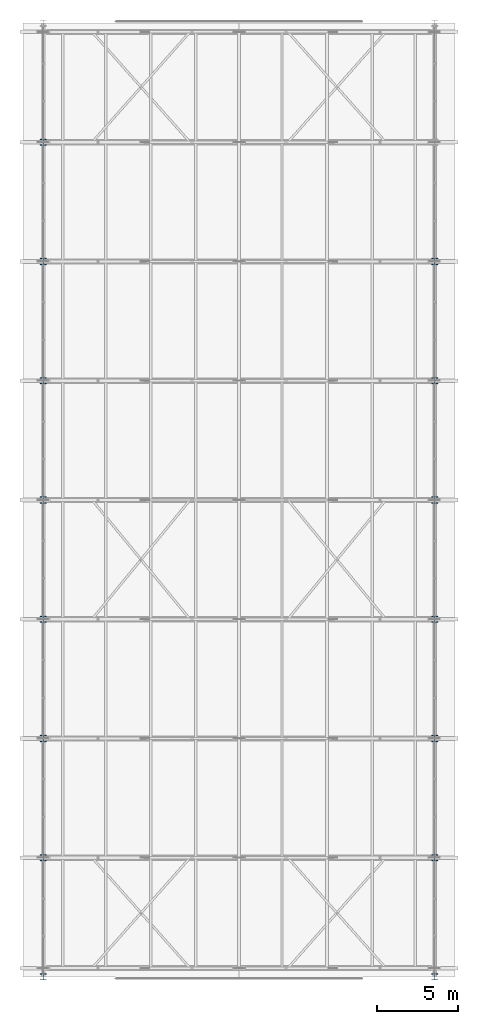
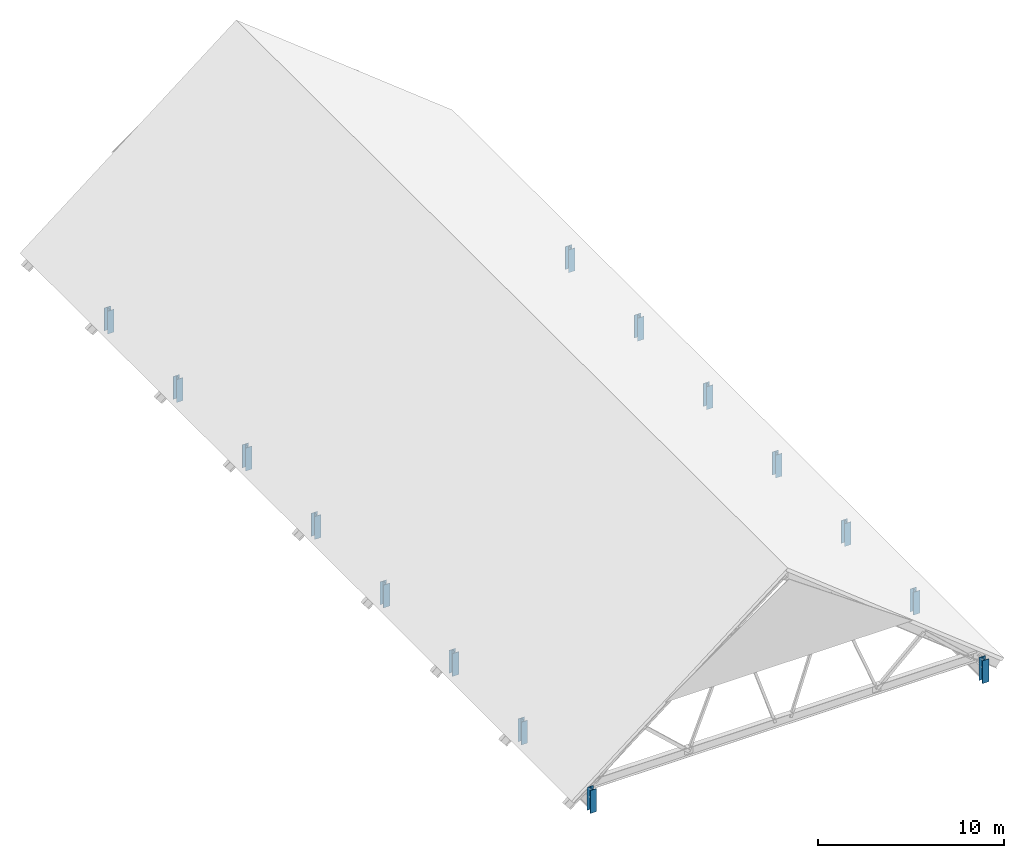
# One storey, part 1 of 44: 15 columns.
"""IFC4 building model written with IfcOpenShell, lengths in metres."""

from ifc_helpers import new_model, si_unit, direction, frame, origin, origin_2d, place, context, subcontext, project, spatial, i_section, extrude, material, material_profile, profile_set, type_object, element, save


model = new_model("IFC4")

# Units and contexts
model_context = context("Model", 3, precision=1e-05, world=origin(), true_north=direction((0.0, 1.0)))
body_context = subcontext(model_context, "Body", "Model", "MODEL_VIEW")
ifc_project = project(units=[si_unit("LENGTHUNIT", "METRE"), si_unit("AREAUNIT", "SQUARE_METRE"), si_unit("VOLUMEUNIT", "CUBIC_METRE"), si_unit("PLANEANGLEUNIT", "RADIAN"), si_unit("MASSUNIT", "GRAM", prefix="KILO")], contexts=[model_context])

# Site, building, storey
site_placement = place(None, origin())
site = spatial("IfcSite", under=ifc_project, at=site_placement, CompositionType="ELEMENT")
building_placement = place(site_placement, origin())
building = spatial("IfcBuilding", under=site, at=building_placement, Name="Cimatlan Art Gallery", CompositionType="ELEMENT")
storey_placement = place(building_placement, frame((0.0, 0.0, 26.39990234375)))
storey = spatial("IfcBuildingStorey", under=building, at=storey_placement, Name="Roof", CompositionType="ELEMENT", Elevation=26.39990234375)

# Columns
ifc_material = material(Name="Steel ASTM A992 Grade 50", Category="steel")
ifc_material_profile = material_profile(ifc_material, i_section(OverallWidth=0.39404296875, OverallDepth=0.3759765625, WebThickness=0.017333984375, FlangeThickness=0.027587890625, at=origin_2d()), Name="W14X145")
ifc_profile_set = profile_set([ifc_material_profile], Name="Steel ASTM A992 Grade 50")
column_type = type_object("IfcColumnType", Name="COL-STL-W14X145", PredefinedType="COLUMN", material=ifc_profile_set)
for number, where, z_axis, x_axis, name in (
    (1, (74.89990234375, 23.89990234375, 0.0), (0.0, 0.0, 1.0), (1.0, 0.0, 0.0), "COL-CRW-W-01"),
    (2, (99.199951171875, 23.89990234375, 0.0), (0.0, 0.0, 1.0), (1.0, 0.0, 0.0), "COL-CRW-E-01"),
    (3, (74.89990234375, 31.300048828125, 0.0), (0.0, 0.0, 1.0), (1.0, 0.0, 0.0), "COL-CRW-W-02"),
    (4, (99.199951171875, 31.300048828125, 0.0), (0.0, 0.0, 1.0), (1.0, 0.0, 0.0), "COL-CRW-E-02"),
    (5, (74.89990234375, 38.699951171875, 0.0), (0.0, 0.0, 1.0), (1.0, 0.0, 0.0), "COL-CRW-W-03"),
    (6, (99.199951171875, 38.699951171875, 0.0), (0.0, 0.0, 1.0), (1.0, 0.0, 0.0), "COL-CRW-E-03"),
    (7, (74.89990234375, 46.10009765625, 0.0), (0.0, 0.0, 1.0), (1.0, 0.0, 0.0), "COL-CRW-W-04"),
    (8, (99.199951171875, 46.10009765625, 0.0), (0.0, 0.0, 1.0), (1.0, 0.0, 0.0), "COL-CRW-E-04"),
    (9, (74.89990234375, 53.5, 0.0), (0.0, 0.0, 1.0), (1.0, 0.0, 0.0), "COL-CRW-W-05"),
    (10, (99.199951171875, 53.5, 0.0), (0.0, 0.0, 1.0), (1.0, 0.0, 0.0), "COL-CRW-E-05"),
    (11, (74.89990234375, 60.89990234375, 0.0), (0.0, 0.0, 1.0), (1.0, 0.0, 0.0), "COL-CRW-W-06"),
    (12, (99.199951171875, 60.89990234375, 0.0), (0.0, 0.0, 1.0), (1.0, 0.0, 0.0), "COL-CRW-E-06"),
    (13, (74.89990234375, 68.300048828125, 0.0), (0.0, 0.0, 1.0), (1.0, 0.0, 0.0), "COL-CRW-W-07"),
    (14, (99.199951171875, 68.300048828125, 0.0), (0.0, 0.0, 1.0), (1.0, 0.0, 0.0), "COL-CRW-E-07"),
    (15, (74.89990234375, 75.699951171875, 0.0), (0.0, 0.0, 1.0), (1.0, 0.0, 0.0), "COL-CRW-W-08"),
):
    element("IfcColumn", number, at=place(storey_placement, frame(where, z_axis=z_axis, x_axis=x_axis)), inside=storey, type_object=column_type, Name=name, PredefinedType="COLUMN", context=body_context, shape_type="SweptSolid", body=[
        extrude(i_section(OverallWidth=0.39404296875, OverallDepth=0.3759765625, WebThickness=0.017333984375, FlangeThickness=0.027587890625, at=origin_2d()), origin(), (0.0, 0.0, 1.0), 1.5),
    ])

save(model, "model.ifc")
